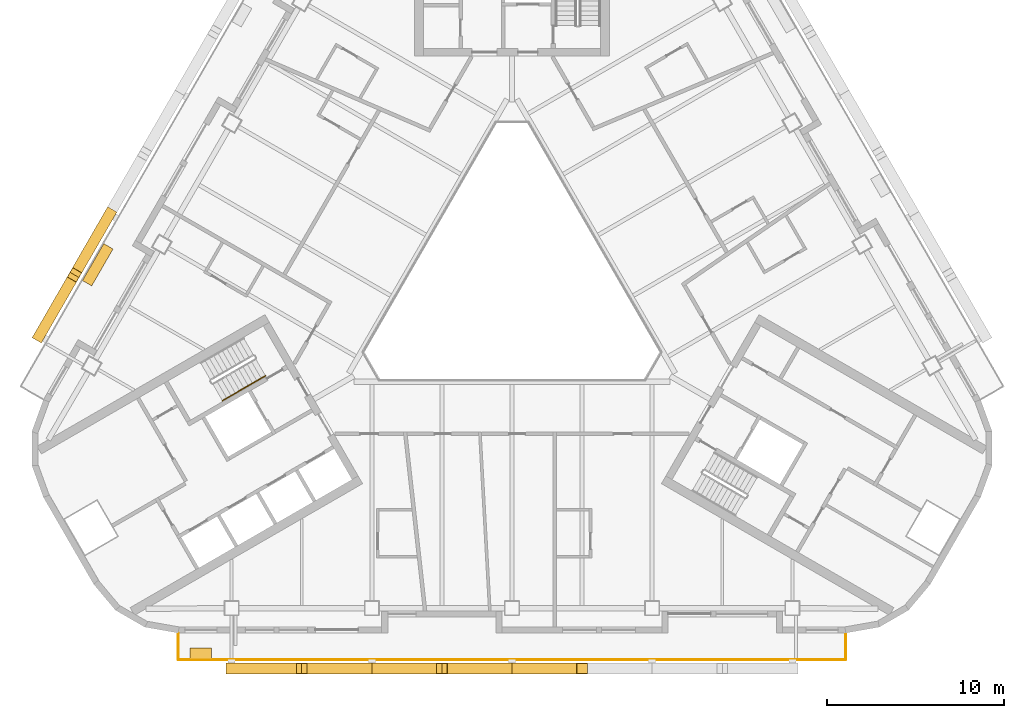
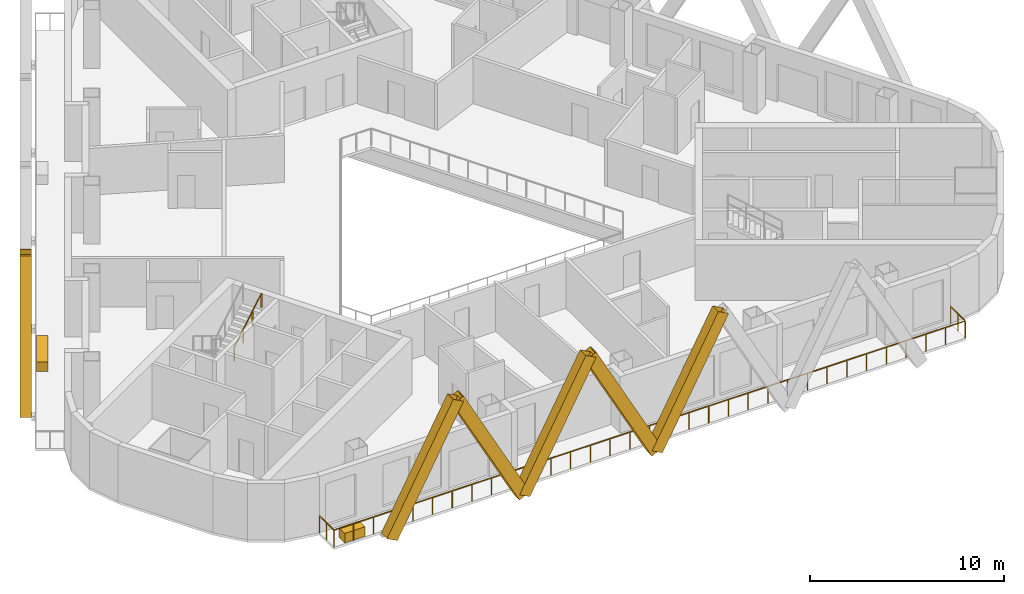
# One storey, part 8 of 13: 7 shading devices, 2 coverings, 2 railings.
"""IFC4 building model written with IfcOpenShell, lengths in metres."""

from ifc_helpers import new_model, si_unit, direction, frame, origin, origin_2d, place, context, subcontext, project, spatial, rectangle, hollow_rectangle, circle, extrude, material, material_profile, profile_set, type_object, element, save


model = new_model("IFC4")

# Units and contexts
model_context = context("Model", 3, precision=1e-05, world=origin(), true_north=direction((0.0, 1.0)))
body_context = subcontext(model_context, "Body", "Model", "MODEL_VIEW")
ifc_project = project(units=[si_unit("LENGTHUNIT", "METRE"), si_unit("AREAUNIT", "SQUARE_METRE"), si_unit("VOLUMEUNIT", "CUBIC_METRE"), si_unit("PLANEANGLEUNIT", "RADIAN"), si_unit("MASSUNIT", "GRAM", prefix="KILO")], contexts=[model_context])

# Site, building, storey
site_placement = place(None, origin())
site = spatial("IfcSite", under=ifc_project, at=site_placement, CompositionType="ELEMENT")
building_placement = place(site_placement, origin())
building = spatial("IfcBuilding", under=site, at=building_placement, Name="Apuvela Tower Hotel", CompositionType="ELEMENT")
storey_placement = place(building_placement, frame((0.0, 0.0, 161.39990234375)))
storey = spatial("IfcBuildingStorey", under=building, at=storey_placement, Name="L38", CompositionType="ELEMENT", Elevation=161.39990234375)

# Railing
ifc_material_1 = material(Name="Stainless steel 316 handrail", Category="steel")
railing_type_1 = type_object("IfcRailingType", Name="COR-HANDRAIL-900", PredefinedType="HANDRAIL", material=ifc_material_1)
railing_1_placement = place(storey_placement, frame((-16.31884765625, -6.534912109375, 2.018310546875)))
element("IfcRailing", 1, at=railing_1_placement, inside=storey, type_object=railing_type_1, Name="L38 ST2 stair handrail 2", PredefinedType="HANDRAIL", context=body_context, shape_type="SweptSolid", body=[
    extrude(circle(Radius=0.02392578125, at=origin_2d()), frame((0.0, 0.0, 0.8759765625), z_axis=(0.742390482028, 0.42860119049, 0.514934356695), x_axis=(-0.49998411664, 0.866034573852, 0.0)), (0.0, 0.0, 1.0), 3.26611328125),
    extrude(rectangle(XDim=0.0419921875, YDim=0.0419921875, at=origin_2d()), origin(), (0.0, 0.0, 1.0), 0.851806640625),
    extrude(rectangle(XDim=0.0419921875, YDim=0.0419921875, at=origin_2d()), frame((0.808349609375, 0.466552734375, 0.560546875)), (0.0, 0.0, 1.0), 0.851806640625),
    extrude(rectangle(XDim=0.0419921875, YDim=0.0419921875, at=origin_2d()), frame((1.616455078125, 0.933349609375, 1.121337890625)), (0.0, 0.0, 1.0), 0.851806640625),
    extrude(rectangle(XDim=0.0419921875, YDim=0.0419921875, at=origin_2d()), frame((2.4248046875, 1.39990234375, 1.681884765625)), (0.0, 0.0, 1.0), 0.851806640625),
])

# Shading devices
ifc_material_2 = material(Name="Aluminium 6063-T6, black anodised", Category="aluminium")
ifc_material_profile = material_profile(ifc_material_2, hollow_rectangle(XDim=0.60009765625, YDim=0.699951171875, WallThickness=0.011962890625, at=origin_2d()), Name="AL BOX 700x600x12")
ifc_profile_set = profile_set([ifc_material_profile], Name="Aluminium 6063-T6, black anodised")
shading_device_type = type_object("IfcShadingDeviceType", Name="ENV-FIN-700x600", PredefinedType="USERDEFINED", material=ifc_profile_set)
for number, where, z_axis, x_axis, name in (
    (2, (-15.800048828125, -21.6298828125, -0.099853515625), (0.470897892863, 0.0, 0.882187720668), (0.0, 1.0, 0.0), "Lattice fin S305"),
    (3, (-7.89990234375, -21.6298828125, -0.099853515625), (-0.470920543904, 0.0, 0.882175629526), (0.0, -1.0, 0.0), "Lattice fin S306"),
    (4, (-7.89990234375, -21.6298828125, -0.099853515625), (0.470897892863, 0.0, 0.882187720668), (0.0, 1.0, 0.0), "Lattice fin S307"),
    (5, (0.0, -21.6298828125, -0.099853515625), (-0.470897892863, 0.0, 0.882187720668), (0.0, -1.0, 0.0), "Lattice fin S308"),
    (6, (0.0, -21.6298828125, -0.099853515625), (0.470897892863, 0.0, 0.882187720668), (0.0, 1.0, 0.0), "Lattice fin S309"),
    (7, (-22.68212890625, 3.973388671875, -0.099853515625), (-0.235433593518, -0.407824887177, 0.882184722404), (0.866047669374, -0.499961432884, 0.0), "Lattice fin NW407"),
    (8, (-26.632080078125, -2.8681640625, -0.099853515625), (0.235463880167, 0.407797827568, 0.882189148067), (-0.866005453737, 0.500034552904, 0.0), "Lattice fin NW408"),
):
    element("IfcShadingDevice", number, at=place(storey_placement, frame(where, z_axis=z_axis, x_axis=x_axis)), inside=storey, type_object=shading_device_type, Name=name, ObjectType="FIN", PredefinedType="USERDEFINED", context=body_context, shape_type="SweptSolid", body=[
        extrude(hollow_rectangle(XDim=0.60009765625, YDim=0.699951171875, WallThickness=0.011962890625, at=origin_2d()), origin(), (0.0, 0.0, 1.0), 8.38818359375),
    ])

# Railing
ifc_material_3 = material(Name="Stainless steel 316 rail with laminated glass infill", Category="steel")
railing_type_2 = type_object("IfcRailingType", Name="ENV-GUARD-1100", PredefinedType="GUARDRAIL", material=ifc_material_3)
railing_2_placement = place(storey_placement, frame((-18.81591796875, -19.6298828125, 0.0)))
element("IfcRailing", 9, at=railing_2_placement, inside=storey, type_object=railing_type_2, Name="Balcony guard S L38", PredefinedType="GUARDRAIL", context=body_context, shape_type="SweptSolid", body=[
    extrude(rectangle(XDim=0.050048828125, YDim=0.050048828125, at=origin_2d()), frame((0.0, 0.0, 1.0751953125), z_axis=(0.0, -1.0, 0.0), x_axis=(1.0, 0.0, 0.0)), (0.0, 0.0, 1.0), 1.5),
    extrude(rectangle(XDim=0.050048828125, YDim=0.050048828125, at=origin_2d()), frame((0.0, -1.5, 1.0751953125), z_axis=(1.0, 0.0, 0.0), x_axis=(0.0, 1.0, 0.0)), (0.0, 0.0, 1.0), 37.6318359375),
    extrude(rectangle(XDim=0.050048828125, YDim=0.050048828125, at=origin_2d()), frame((37.6318359375, -1.5, 1.0751953125), z_axis=(0.0, 1.0, 0.0), x_axis=(-1.0, 0.0, 0.0)), (0.0, 0.0, 1.0), 1.5),
    extrude(rectangle(XDim=0.0400390625, YDim=0.0400390625, at=origin_2d()), origin(), (0.0, 0.0, 1.0), 1.050048828125),
    extrude(rectangle(XDim=0.0400390625, YDim=0.0400390625, at=origin_2d()), frame((0.0, -0.75, 0.0)), (0.0, 0.0, 1.0), 1.050048828125),
    extrude(rectangle(XDim=0.0400390625, YDim=0.0400390625, at=origin_2d()), frame((0.0, -1.5, 0.0)), (0.0, 0.0, 1.0), 1.050048828125),
    extrude(rectangle(XDim=0.0400390625, YDim=0.0400390625, at=origin_2d()), frame((1.176025390625, -1.5, 0.0)), (0.0, 0.0, 1.0), 1.050048828125),
    extrude(rectangle(XDim=0.0400390625, YDim=0.0400390625, at=origin_2d()), frame((2.35205078125, -1.5, 0.0)), (0.0, 0.0, 1.0), 1.050048828125),
    extrude(rectangle(XDim=0.0400390625, YDim=0.0400390625, at=origin_2d()), frame((3.528076171875, -1.5, 0.0)), (0.0, 0.0, 1.0), 1.050048828125),
    extrude(rectangle(XDim=0.0400390625, YDim=0.0400390625, at=origin_2d()), frame((4.7041015625, -1.5, 0.0)), (0.0, 0.0, 1.0), 1.050048828125),
    extrude(rectangle(XDim=0.0400390625, YDim=0.0400390625, at=origin_2d()), frame((5.8798828125, -1.5, 0.0)), (0.0, 0.0, 1.0), 1.050048828125),
    extrude(rectangle(XDim=0.0400390625, YDim=0.0400390625, at=origin_2d()), frame((7.055908203125, -1.5, 0.0)), (0.0, 0.0, 1.0), 1.050048828125),
    extrude(rectangle(XDim=0.0400390625, YDim=0.0400390625, at=origin_2d()), frame((8.23193359375, -1.5, 0.0)), (0.0, 0.0, 1.0), 1.050048828125),
    extrude(rectangle(XDim=0.0400390625, YDim=0.0400390625, at=origin_2d()), frame((9.407958984375, -1.5, 0.0)), (0.0, 0.0, 1.0), 1.050048828125),
    extrude(rectangle(XDim=0.0400390625, YDim=0.0400390625, at=origin_2d()), frame((10.583984375, -1.5, 0.0)), (0.0, 0.0, 1.0), 1.050048828125),
    extrude(rectangle(XDim=0.0400390625, YDim=0.0400390625, at=origin_2d()), frame((11.760009765625, -1.5, 0.0)), (0.0, 0.0, 1.0), 1.050048828125),
    extrude(rectangle(XDim=0.0400390625, YDim=0.0400390625, at=origin_2d()), frame((12.93603515625, -1.5, 0.0)), (0.0, 0.0, 1.0), 1.050048828125),
    extrude(rectangle(XDim=0.0400390625, YDim=0.0400390625, at=origin_2d()), frame((14.11181640625, -1.5, 0.0)), (0.0, 0.0, 1.0), 1.050048828125),
    extrude(rectangle(XDim=0.0400390625, YDim=0.0400390625, at=origin_2d()), frame((15.287841796875, -1.5, 0.0)), (0.0, 0.0, 1.0), 1.050048828125),
    extrude(rectangle(XDim=0.0400390625, YDim=0.0400390625, at=origin_2d()), frame((16.4638671875, -1.5, 0.0)), (0.0, 0.0, 1.0), 1.050048828125),
    extrude(rectangle(XDim=0.0400390625, YDim=0.0400390625, at=origin_2d()), frame((17.639892578125, -1.5, 0.0)), (0.0, 0.0, 1.0), 1.050048828125),
    extrude(rectangle(XDim=0.0400390625, YDim=0.0400390625, at=origin_2d()), frame((18.81591796875, -1.5, 0.0)), (0.0, 0.0, 1.0), 1.050048828125),
    extrude(rectangle(XDim=0.0400390625, YDim=0.0400390625, at=origin_2d()), frame((19.991943359375, -1.5, 0.0)), (0.0, 0.0, 1.0), 1.050048828125),
    extrude(rectangle(XDim=0.0400390625, YDim=0.0400390625, at=origin_2d()), frame((21.16796875, -1.5, 0.0)), (0.0, 0.0, 1.0), 1.050048828125),
    extrude(rectangle(XDim=0.0400390625, YDim=0.0400390625, at=origin_2d()), frame((22.343994140625, -1.5, 0.0)), (0.0, 0.0, 1.0), 1.050048828125),
    extrude(rectangle(XDim=0.0400390625, YDim=0.0400390625, at=origin_2d()), frame((23.52001953125, -1.5, 0.0)), (0.0, 0.0, 1.0), 1.050048828125),
    extrude(rectangle(XDim=0.0400390625, YDim=0.0400390625, at=origin_2d()), frame((24.69580078125, -1.5, 0.0)), (0.0, 0.0, 1.0), 1.050048828125),
    extrude(rectangle(XDim=0.0400390625, YDim=0.0400390625, at=origin_2d()), frame((25.871826171875, -1.5, 0.0)), (0.0, 0.0, 1.0), 1.050048828125),
    extrude(rectangle(XDim=0.0400390625, YDim=0.0400390625, at=origin_2d()), frame((27.0478515625, -1.5, 0.0)), (0.0, 0.0, 1.0), 1.050048828125),
    extrude(rectangle(XDim=0.0400390625, YDim=0.0400390625, at=origin_2d()), frame((28.223876953125, -1.5, 0.0)), (0.0, 0.0, 1.0), 1.050048828125),
    extrude(rectangle(XDim=0.0400390625, YDim=0.0400390625, at=origin_2d()), frame((29.39990234375, -1.5, 0.0)), (0.0, 0.0, 1.0), 1.050048828125),
    extrude(rectangle(XDim=0.0400390625, YDim=0.0400390625, at=origin_2d()), frame((30.575927734375, -1.5, 0.0)), (0.0, 0.0, 1.0), 1.050048828125),
    extrude(rectangle(XDim=0.0400390625, YDim=0.0400390625, at=origin_2d()), frame((31.751953125, -1.5, 0.0)), (0.0, 0.0, 1.0), 1.050048828125),
    extrude(rectangle(XDim=0.0400390625, YDim=0.0400390625, at=origin_2d()), frame((32.927734375, -1.5, 0.0)), (0.0, 0.0, 1.0), 1.050048828125),
    extrude(rectangle(XDim=0.0400390625, YDim=0.0400390625, at=origin_2d()), frame((34.103759765625, -1.5, 0.0)), (0.0, 0.0, 1.0), 1.050048828125),
    extrude(rectangle(XDim=0.0400390625, YDim=0.0400390625, at=origin_2d()), frame((35.27978515625, -1.5, 0.0)), (0.0, 0.0, 1.0), 1.050048828125),
    extrude(rectangle(XDim=0.0400390625, YDim=0.0400390625, at=origin_2d()), frame((36.455810546875, -1.5, 0.0)), (0.0, 0.0, 1.0), 1.050048828125),
    extrude(rectangle(XDim=0.0400390625, YDim=0.0400390625, at=origin_2d()), frame((37.6318359375, -1.5, 0.0)), (0.0, 0.0, 1.0), 1.050048828125),
    extrude(rectangle(XDim=0.0400390625, YDim=0.0400390625, at=origin_2d()), frame((37.6318359375, -0.75, 0.0)), (0.0, 0.0, 1.0), 1.050048828125),
    extrude(rectangle(XDim=0.0400390625, YDim=0.0400390625, at=origin_2d()), frame((37.6318359375, 0.0, 0.0)), (0.0, 0.0, 1.0), 1.050048828125),
])

# Coverings
ifc_material_4 = material(Name="Planting substrate and soil, planted")
covering_type_1 = type_object("IfcCoveringType", Name="ENV-PLANTER-1200x600", PredefinedType="USERDEFINED", material=ifc_material_4)
covering_1_placement = place(storey_placement, frame((-17.53515625, -20.780029296875, 0.0), z_axis=(0.0, 0.0, 1.0), x_axis=(1.0, 0.0, 0.0)))
element("IfcCovering", 10, at=covering_1_placement, inside=storey, type_object=covering_type_1, Name="Planter S1", ObjectType="PLANTER", PredefinedType="USERDEFINED", context=body_context, shape_type="SweptSolid", body=[
    extrude(rectangle(XDim=1.199951171875, YDim=0.60009765625, at=origin_2d()), origin(), (0.0, 0.0, 1.0), 0.60009765625),
])
covering_type_2 = type_object("IfcCoveringType", Name="ENV-PLANTER-2400x600", PredefinedType="USERDEFINED", material=ifc_material_4)
covering_2_placement = place(storey_placement, frame((-23.345947265625, 1.12353515625, 0.0), z_axis=(0.0, 0.0, 1.0), x_axis=(-0.5, -0.866025403784, 0.0)))
element("IfcCovering", 11, at=covering_2_placement, inside=storey, type_object=covering_type_2, Name="Planter NW5", ObjectType="PLANTER", PredefinedType="USERDEFINED", context=body_context, shape_type="SweptSolid", body=[
    extrude(rectangle(XDim=2.39990234375, YDim=0.60009765625, at=origin_2d()), origin(), (0.0, 0.0, 1.0), 0.60009765625),
])

save(model, "model.ifc")
